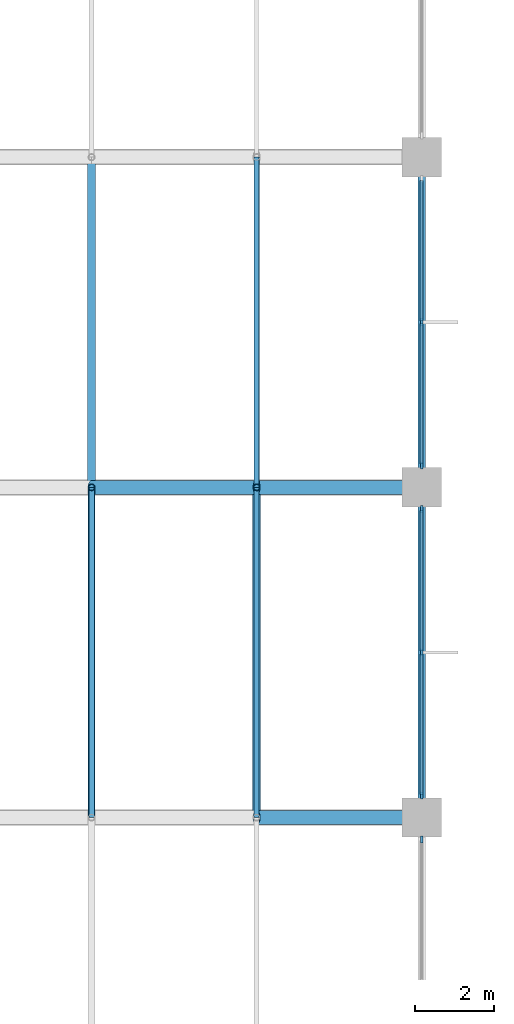
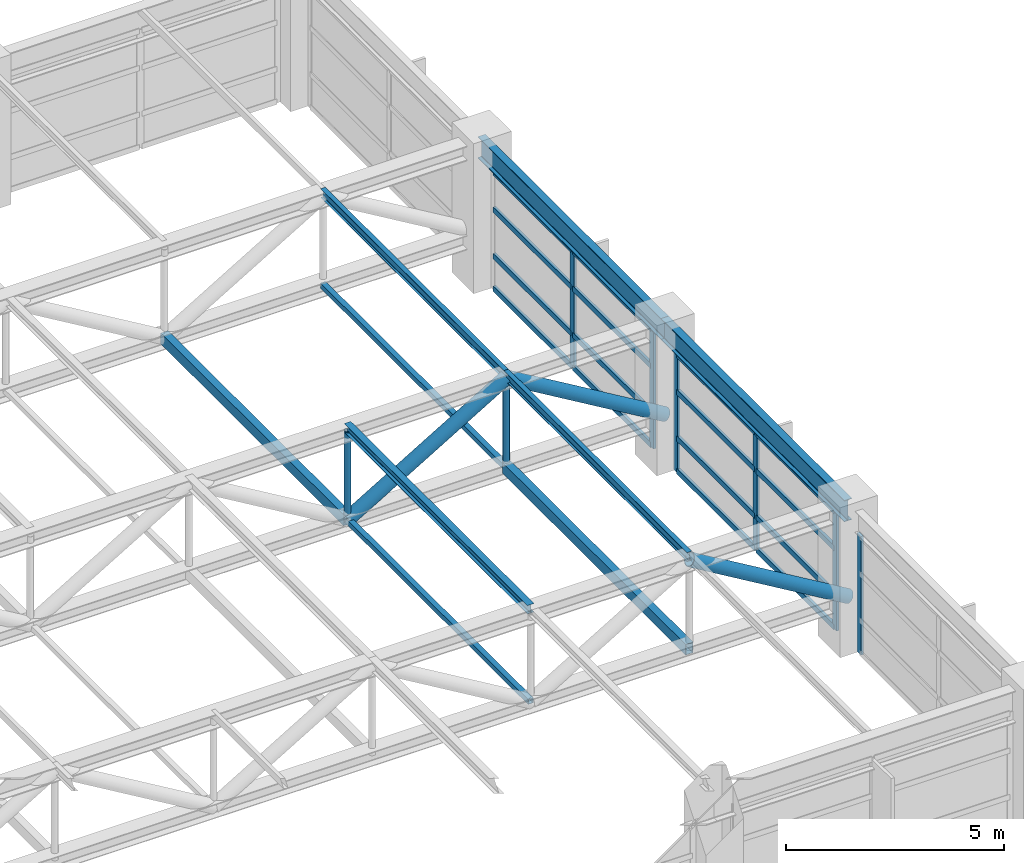
# One storey, part 13 of 32: 34 members, 2 beams, 3 elements without a shape of their own.
"""IFC4 building model written with IfcOpenShell, lengths in metres."""

from ifc_helpers import new_model, si_unit, direction, frame, origin, origin_2d, place, context, subcontext, project, spatial, rectangle, hollow_rectangle, hollow_circle, i_section, extrude, material, material_profile, profile_set, type_object, element, aggregate, save


model = new_model("IFC4")

# Units and contexts
model_context = context("Model", 3, precision=1e-05, world=origin(), true_north=direction((0.0, 1.0)))
body_context = subcontext(model_context, "Body", "Model", "MODEL_VIEW")
ifc_project = project(units=[si_unit("LENGTHUNIT", "METRE"), si_unit("AREAUNIT", "SQUARE_METRE"), si_unit("VOLUMEUNIT", "CUBIC_METRE"), si_unit("PLANEANGLEUNIT", "RADIAN"), si_unit("MASSUNIT", "GRAM", prefix="KILO")], contexts=[model_context])

# Site, building, storey
site_placement = place(None, origin())
site = spatial("IfcSite", under=ifc_project, at=site_placement, CompositionType="ELEMENT")
building_placement = place(site_placement, origin())
building = spatial("IfcBuilding", under=site, at=building_placement, Name="Xuanlan Plaza Opera House", CompositionType="ELEMENT")
storey_placement = place(building_placement, frame((0.0, 0.0, 40.5)))
storey = spatial("IfcBuildingStorey", under=building, at=storey_placement, Name="L09", CompositionType="ELEMENT", Elevation=40.5)

# Curtain wall, member
ifc_material_1 = material(Name="Anodised Aluminium 6063-T6 and Low-E Glass", Category="aluminium")
curtain_wall_type = type_object("IfcCurtainWallType", Name="ENV-CW-CW-05", PredefinedType="USERDEFINED", material=ifc_material_1)
curtain_wall_1_placement = place(storey_placement, origin())
curtain_wall_1 = element("IfcCurtainWall", 1, at=curtain_wall_1_placement, inside=storey, type_object=curtain_wall_type, Name="Acoustic Glazed Wall FLY-L09-04", ObjectType="ACOUSTIC GLAZED WALL", PredefinedType="USERDEFINED")
ifc_material_2 = material(Name="Anodised Aluminium 6063-T6", Category="aluminium")
ifc_material_profile_1 = material_profile(ifc_material_2, rectangle(XDim=0.070068359375, YDim=0.179931640625, at=origin_2d()), Name="ALU-M 70x180")
ifc_profile_set_1 = profile_set([ifc_material_profile_1], Name="Anodised Aluminium 6063-T6")
member_type_1 = type_object("IfcMemberType", Name="ENV-CWM-02", PredefinedType="MULLION", material=ifc_profile_set_1)
member_1_placement = place(storey_placement, frame((67.199951171875, 49.844970703125, 0.0), z_axis=(0.0, 0.0, 1.0), x_axis=(-1.0, 0.0, 0.0)))
member_1 = element("IfcMember", 2, at=member_1_placement, type_object=member_type_1, Name="CW-05 mullion 3", PredefinedType="MULLION", context=body_context, shape_type="SweptSolid", body=[
    extrude(rectangle(XDim=0.070068359375, YDim=0.179931640625, at=origin_2d()), origin(), (0.0, 0.0, 1.0), 3.320068359375),
])
aggregate(curtain_wall_1, [member_1])

# Curtain wall, members
curtain_wall_2_placement = place(storey_placement, origin())
curtain_wall_2 = element("IfcCurtainWall", 3, at=curtain_wall_2_placement, inside=storey, type_object=curtain_wall_type, Name="Acoustic Glazed Wall FLY-L09-05", ObjectType="ACOUSTIC GLAZED WALL", PredefinedType="USERDEFINED")
member_2_placement = place(storey_placement, frame((67.199951171875, 50.955078125, 0.0), z_axis=(0.0, 0.0, 1.0), x_axis=(-1.0, 0.0, 0.0)))
member_2 = element("IfcMember", 4, at=member_2_placement, type_object=member_type_1, Name="CW-05 mullion 1", PredefinedType="MULLION", context=body_context, shape_type="SweptSolid", body=[
    extrude(rectangle(XDim=0.070068359375, YDim=0.179931640625, at=origin_2d()), origin(), (0.0, 0.0, 1.0), 3.320068359375),
])
member_3_placement = place(storey_placement, frame((67.199951171875, 54.60009765625, 0.0), z_axis=(0.0, 0.0, 1.0), x_axis=(-1.0, 0.0, 0.0)))
member_3 = element("IfcMember", 5, at=member_3_placement, type_object=member_type_1, Name="CW-05 mullion 2", PredefinedType="MULLION", context=body_context, shape_type="SweptSolid", body=[
    extrude(rectangle(XDim=0.070068359375, YDim=0.179931640625, at=origin_2d()), origin(), (0.0, 0.0, 1.0), 3.320068359375),
])
member_4_placement = place(storey_placement, frame((67.199951171875, 58.2451171875, 0.0), z_axis=(0.0, 0.0, 1.0), x_axis=(-1.0, 0.0, 0.0)))
member_4 = element("IfcMember", 6, at=member_4_placement, type_object=member_type_1, Name="CW-05 mullion 3", PredefinedType="MULLION", context=body_context, shape_type="SweptSolid", body=[
    extrude(rectangle(XDim=0.070068359375, YDim=0.179931640625, at=origin_2d()), origin(), (0.0, 0.0, 1.0), 3.320068359375),
])

curtain_wall_3_placement = place(storey_placement, origin())
curtain_wall_3 = element("IfcCurtainWall", 7, at=curtain_wall_3_placement, inside=storey, type_object=curtain_wall_type, Name="Acoustic Glazed Wall FLY-L09-06", ObjectType="ACOUSTIC GLAZED WALL", PredefinedType="USERDEFINED")
member_5_placement = place(storey_placement, frame((67.199951171875, 59.35498046875, 0.0), z_axis=(0.0, 0.0, 1.0), x_axis=(-1.0, 0.0, 0.0)))
member_5 = element("IfcMember", 8, at=member_5_placement, type_object=member_type_1, Name="CW-05 mullion 1", PredefinedType="MULLION", context=body_context, shape_type="SweptSolid", body=[
    extrude(rectangle(XDim=0.070068359375, YDim=0.179931640625, at=origin_2d()), origin(), (0.0, 0.0, 1.0), 3.320068359375),
])
member_6_placement = place(storey_placement, frame((67.199951171875, 63.0, 0.0), z_axis=(0.0, 0.0, 1.0), x_axis=(-1.0, 0.0, 0.0)))
member_6 = element("IfcMember", 9, at=member_6_placement, type_object=member_type_1, Name="CW-05 mullion 2", PredefinedType="MULLION", context=body_context, shape_type="SweptSolid", body=[
    extrude(rectangle(XDim=0.070068359375, YDim=0.179931640625, at=origin_2d()), origin(), (0.0, 0.0, 1.0), 3.320068359375),
])

# Member
ifc_material_profile_2 = material_profile(ifc_material_2, rectangle(XDim=0.074951171875, YDim=0.14990234375, at=origin_2d()), Name="ALU-T 75x150")
ifc_profile_set_2 = profile_set([ifc_material_profile_2], Name="Anodised Aluminium 6063-T6")
member_type_2 = type_object("IfcMemberType", Name="ENV-CWT-03", PredefinedType="USERDEFINED", material=ifc_profile_set_2)
member_7_placement = place(storey_placement, frame((67.199951171875, 50.989990234375, 0.03759765625), z_axis=(0.0, 1.0, 0.0), x_axis=(-1.0, 0.0, 0.0)))
member_7 = element("IfcMember", 10, at=member_7_placement, type_object=member_type_2, Name="CW-05 transom 1.1", ObjectType="TRANSOM", PredefinedType="USERDEFINED", context=body_context, shape_type="SweptSolid", body=[
    extrude(rectangle(XDim=0.074951171875, YDim=0.14990234375, at=origin_2d()), origin(), (0.0, 0.0, 1.0), 3.574951171875),
])

member_8_placement = place(storey_placement, frame((67.199951171875, 50.989990234375, 0.949951171875), z_axis=(0.0, 1.0, 0.0), x_axis=(-1.0, 0.0, 0.0)))
member_8 = element("IfcMember", 11, at=member_8_placement, type_object=member_type_2, Name="CW-05 transom 1.2", ObjectType="TRANSOM", PredefinedType="USERDEFINED", context=body_context, shape_type="SweptSolid", body=[
    extrude(rectangle(XDim=0.074951171875, YDim=0.14990234375, at=origin_2d()), origin(), (0.0, 0.0, 1.0), 3.574951171875),
])

member_9_placement = place(storey_placement, frame((67.199951171875, 50.989990234375, 2.25), z_axis=(0.0, 1.0, 0.0), x_axis=(-1.0, 0.0, 0.0)))
member_9 = element("IfcMember", 12, at=member_9_placement, type_object=member_type_2, Name="CW-05 transom 1.3", ObjectType="TRANSOM", PredefinedType="USERDEFINED", context=body_context, shape_type="SweptSolid", body=[
    extrude(rectangle(XDim=0.074951171875, YDim=0.14990234375, at=origin_2d()), origin(), (0.0, 0.0, 1.0), 3.574951171875),
])

member_10_placement = place(storey_placement, frame((67.199951171875, 50.989990234375, 3.282470703125), z_axis=(0.0, 1.0, 0.0), x_axis=(-1.0, 0.0, 0.0)))
member_10 = element("IfcMember", 13, at=member_10_placement, type_object=member_type_2, Name="CW-05 transom 1.4", ObjectType="TRANSOM", PredefinedType="USERDEFINED", context=body_context, shape_type="SweptSolid", body=[
    extrude(rectangle(XDim=0.074951171875, YDim=0.14990234375, at=origin_2d()), origin(), (0.0, 0.0, 1.0), 3.574951171875),
])

member_11_placement = place(storey_placement, frame((67.199951171875, 54.635009765625, 0.03759765625), z_axis=(0.0, 1.0, 0.0), x_axis=(-1.0, 0.0, 0.0)))
member_11 = element("IfcMember", 14, at=member_11_placement, type_object=member_type_2, Name="CW-05 transom 2.1", ObjectType="TRANSOM", PredefinedType="USERDEFINED", context=body_context, shape_type="SweptSolid", body=[
    extrude(rectangle(XDim=0.074951171875, YDim=0.14990234375, at=origin_2d()), origin(), (0.0, 0.0, 1.0), 3.574951171875),
])

member_12_placement = place(storey_placement, frame((67.199951171875, 54.635009765625, 0.949951171875), z_axis=(0.0, 1.0, 0.0), x_axis=(-1.0, 0.0, 0.0)))
member_12 = element("IfcMember", 15, at=member_12_placement, type_object=member_type_2, Name="CW-05 transom 2.2", ObjectType="TRANSOM", PredefinedType="USERDEFINED", context=body_context, shape_type="SweptSolid", body=[
    extrude(rectangle(XDim=0.074951171875, YDim=0.14990234375, at=origin_2d()), origin(), (0.0, 0.0, 1.0), 3.574951171875),
])

member_13_placement = place(storey_placement, frame((67.199951171875, 54.635009765625, 2.25), z_axis=(0.0, 1.0, 0.0), x_axis=(-1.0, 0.0, 0.0)))
member_13 = element("IfcMember", 16, at=member_13_placement, type_object=member_type_2, Name="CW-05 transom 2.3", ObjectType="TRANSOM", PredefinedType="USERDEFINED", context=body_context, shape_type="SweptSolid", body=[
    extrude(rectangle(XDim=0.074951171875, YDim=0.14990234375, at=origin_2d()), origin(), (0.0, 0.0, 1.0), 3.574951171875),
])

member_14_placement = place(storey_placement, frame((67.199951171875, 54.635009765625, 3.282470703125), z_axis=(0.0, 1.0, 0.0), x_axis=(-1.0, 0.0, 0.0)))
member_14 = element("IfcMember", 17, at=member_14_placement, type_object=member_type_2, Name="CW-05 transom 2.4", ObjectType="TRANSOM", PredefinedType="USERDEFINED", context=body_context, shape_type="SweptSolid", body=[
    extrude(rectangle(XDim=0.074951171875, YDim=0.14990234375, at=origin_2d()), origin(), (0.0, 0.0, 1.0), 3.574951171875),
])

aggregate(curtain_wall_2, [member_2, member_3, member_4, member_7, member_8, member_9, member_10, member_11, member_12, member_13, member_14])

member_15_placement = place(storey_placement, frame((67.199951171875, 59.389892578125, 0.03759765625), z_axis=(0.0, 1.0, 0.0), x_axis=(-1.0, 0.0, 0.0)))
member_15 = element("IfcMember", 18, at=member_15_placement, type_object=member_type_2, Name="CW-05 transom 1.1", ObjectType="TRANSOM", PredefinedType="USERDEFINED", context=body_context, shape_type="SweptSolid", body=[
    extrude(rectangle(XDim=0.074951171875, YDim=0.14990234375, at=origin_2d()), origin(), (0.0, 0.0, 1.0), 3.5751953125),
])

member_16_placement = place(storey_placement, frame((67.199951171875, 59.389892578125, 0.949951171875), z_axis=(0.0, 1.0, 0.0), x_axis=(-1.0, 0.0, 0.0)))
member_16 = element("IfcMember", 19, at=member_16_placement, type_object=member_type_2, Name="CW-05 transom 1.2", ObjectType="TRANSOM", PredefinedType="USERDEFINED", context=body_context, shape_type="SweptSolid", body=[
    extrude(rectangle(XDim=0.074951171875, YDim=0.14990234375, at=origin_2d()), origin(), (0.0, 0.0, 1.0), 3.5751953125),
])

member_17_placement = place(storey_placement, frame((67.199951171875, 59.389892578125, 2.25), z_axis=(0.0, 1.0, 0.0), x_axis=(-1.0, 0.0, 0.0)))
member_17 = element("IfcMember", 20, at=member_17_placement, type_object=member_type_2, Name="CW-05 transom 1.3", ObjectType="TRANSOM", PredefinedType="USERDEFINED", context=body_context, shape_type="SweptSolid", body=[
    extrude(rectangle(XDim=0.074951171875, YDim=0.14990234375, at=origin_2d()), origin(), (0.0, 0.0, 1.0), 3.5751953125),
])

member_18_placement = place(storey_placement, frame((67.199951171875, 59.389892578125, 3.282470703125), z_axis=(0.0, 1.0, 0.0), x_axis=(-1.0, 0.0, 0.0)))
member_18 = element("IfcMember", 21, at=member_18_placement, type_object=member_type_2, Name="CW-05 transom 1.4", ObjectType="TRANSOM", PredefinedType="USERDEFINED", context=body_context, shape_type="SweptSolid", body=[
    extrude(rectangle(XDim=0.074951171875, YDim=0.14990234375, at=origin_2d()), origin(), (0.0, 0.0, 1.0), 3.5751953125),
])

member_19_placement = place(storey_placement, frame((67.199951171875, 63.034912109375, 0.03759765625), z_axis=(0.0, 1.0, 0.0), x_axis=(-1.0, 0.0, 0.0)))
member_19 = element("IfcMember", 22, at=member_19_placement, type_object=member_type_2, Name="CW-05 transom 2.1", ObjectType="TRANSOM", PredefinedType="USERDEFINED", context=body_context, shape_type="SweptSolid", body=[
    extrude(rectangle(XDim=0.074951171875, YDim=0.14990234375, at=origin_2d()), origin(), (0.0, 0.0, 1.0), 3.5751953125),
])

member_20_placement = place(storey_placement, frame((67.199951171875, 63.034912109375, 0.949951171875), z_axis=(0.0, 1.0, 0.0), x_axis=(-1.0, 0.0, 0.0)))
member_20 = element("IfcMember", 23, at=member_20_placement, type_object=member_type_2, Name="CW-05 transom 2.2", ObjectType="TRANSOM", PredefinedType="USERDEFINED", context=body_context, shape_type="SweptSolid", body=[
    extrude(rectangle(XDim=0.074951171875, YDim=0.14990234375, at=origin_2d()), origin(), (0.0, 0.0, 1.0), 3.5751953125),
])

member_21_placement = place(storey_placement, frame((67.199951171875, 63.034912109375, 2.25), z_axis=(0.0, 1.0, 0.0), x_axis=(-1.0, 0.0, 0.0)))
member_21 = element("IfcMember", 24, at=member_21_placement, type_object=member_type_2, Name="CW-05 transom 2.3", ObjectType="TRANSOM", PredefinedType="USERDEFINED", context=body_context, shape_type="SweptSolid", body=[
    extrude(rectangle(XDim=0.074951171875, YDim=0.14990234375, at=origin_2d()), origin(), (0.0, 0.0, 1.0), 3.5751953125),
])

member_22_placement = place(storey_placement, frame((67.199951171875, 63.034912109375, 3.282470703125), z_axis=(0.0, 1.0, 0.0), x_axis=(-1.0, 0.0, 0.0)))
member_22 = element("IfcMember", 25, at=member_22_placement, type_object=member_type_2, Name="CW-05 transom 2.4", ObjectType="TRANSOM", PredefinedType="USERDEFINED", context=body_context, shape_type="SweptSolid", body=[
    extrude(rectangle(XDim=0.074951171875, YDim=0.14990234375, at=origin_2d()), origin(), (0.0, 0.0, 1.0), 3.5751953125),
])

aggregate(curtain_wall_3, [member_5, member_6, member_15, member_16, member_17, member_18, member_19, member_20, member_21, member_22])

# Beams
ifc_material_3 = material(Name="Steel Q355B", Category="steel")
ifc_material_profile_3 = material_profile(ifc_material_3, i_section(OverallWidth=0.199951171875, OverallDepth=0.60009765625, WebThickness=0.010986328125, FlangeThickness=0.01708984375, FilletRadius=0.02197265625, at=origin_2d()), Name="HN 600x200x11x17")
ifc_profile_set_3 = profile_set([ifc_material_profile_3], Name="Steel Q355B")
beam_type = type_object("IfcBeamType", Name="STR-BM-SB-04", PredefinedType="BEAM", material=ifc_profile_set_3)
beam_1_placement = place(storey_placement, frame((67.199951171875, 50.39990234375, 3.659912109375), z_axis=(0.0, 1.0, 0.0), x_axis=(-1.0, 0.0, 0.0)))
element("IfcBeam", 26, at=beam_1_placement, inside=storey, type_object=beam_type, Name="Fly Tower Ring Beam Y L09 9/G-H", PredefinedType="BEAM", context=body_context, shape_type="SweptSolid", body=[
    extrude(i_section(OverallWidth=0.199951171875, OverallDepth=0.60009765625, WebThickness=0.010986328125, FlangeThickness=0.01708984375, FilletRadius=0.02197265625, at=origin_2d()), origin(), (0.0, 0.0, 1.0), 8.400146484375),
])
beam_2_placement = place(storey_placement, frame((67.199951171875, 58.800048828125, 3.659912109375), z_axis=(0.0, 1.0, 0.0), x_axis=(-1.0, 0.0, 0.0)))
element("IfcBeam", 27, at=beam_2_placement, inside=storey, type_object=beam_type, Name="Fly Tower Ring Beam Y L09 9/H-I", PredefinedType="BEAM", context=body_context, shape_type="SweptSolid", body=[
    extrude(i_section(OverallWidth=0.199951171875, OverallDepth=0.60009765625, WebThickness=0.010986328125, FlangeThickness=0.01708984375, FilletRadius=0.02197265625, at=origin_2d()), origin(), (0.0, 0.0, 1.0), 8.39990234375),
])

# Members
ifc_material_profile_4 = material_profile(ifc_material_3, hollow_circle(Radius=0.177734375, WallThickness=0.01611328125, at=origin_2d()), Name="CHS 355.6x16")
ifc_profile_set_4 = profile_set([ifc_material_profile_4], Name="Steel Q355B")
member_type_3 = type_object("IfcMemberType", Name="STR-MEM-BR-02", PredefinedType="BRACE", material=ifc_profile_set_4)
for number, where, z_axis, x_axis, name in (
    (28, (63.0, 50.39990234375, 3.751953125), (0.859290270856, 0.0, -0.511488250512), (0.0, 1.0, 0.0), "Stage Roof Truss STG-01 Web Diagonal 6"),
    (29, (58.800048828125, 58.800048828125, 1.251953125), (0.859290270856, 0.0, 0.511488250512), (0.0, 1.0, 0.0), "Stage Roof Truss STG-02 Web Diagonal 5"),
    (30, (63.0, 58.800048828125, 3.751953125), (0.859290270856, 0.0, -0.511488250512), (0.0, 1.0, 0.0), "Stage Roof Truss STG-02 Web Diagonal 6"),
):
    element("IfcMember", number, at=place(storey_placement, frame(where, z_axis=z_axis, x_axis=x_axis)), inside=storey, type_object=member_type_3, Name=name, PredefinedType="BRACE", context=body_context, shape_type="SweptSolid", body=[
        extrude(hollow_circle(Radius=0.177734375, WallThickness=0.01611328125, at=origin_2d()), origin(), (0.0, 0.0, 1.0), 4.8876953125),
    ])
ifc_material_profile_5 = material_profile(ifc_material_3, hollow_rectangle(XDim=0.199951171875, YDim=0.300048828125, WallThickness=0.011962890625, at=origin_2d()), Name="RHS 300x200x12")
ifc_profile_set_5 = profile_set([ifc_material_profile_5], Name="Steel Q355B")
member_type_4 = type_object("IfcMemberType", Name="STR-MEM-CL-M1", PredefinedType="COLLAR", material=ifc_profile_set_5)
member_23_placement = place(storey_placement, frame((63.0, 50.39990234375, 1.251953125), z_axis=(0.0, 1.0, 0.0), x_axis=(-1.0, 0.0, 0.0)))
element("IfcMember", 31, at=member_23_placement, inside=storey, type_object=member_type_4, Name="Stage Truss Collar Tie 1-6", PredefinedType="COLLAR", context=body_context, shape_type="SweptSolid", body=[
    extrude(hollow_rectangle(XDim=0.199951171875, YDim=0.300048828125, WallThickness=0.011962890625, at=origin_2d()), origin(), (0.0, 0.0, 1.0), 8.400146484375),
])
member_24_placement = place(storey_placement, frame((58.800048828125, 58.800048828125, 1.251953125), z_axis=(0.0, 1.0, 0.0), x_axis=(-1.0, 0.0, 0.0)))
element("IfcMember", 32, at=member_24_placement, inside=storey, type_object=member_type_4, Name="Stage Truss Collar Tie 2-5", PredefinedType="COLLAR", context=body_context, shape_type="SweptSolid", body=[
    extrude(hollow_rectangle(XDim=0.199951171875, YDim=0.300048828125, WallThickness=0.011962890625, at=origin_2d()), origin(), (0.0, 0.0, 1.0), 8.39990234375),
])
ifc_material_profile_6 = material_profile(ifc_material_3, hollow_rectangle(XDim=0.139892578125, YDim=0.139892578125, WallThickness=0.008056640625, at=origin_2d()), Name="SHS 140x140x8")
ifc_profile_set_6 = profile_set([ifc_material_profile_6], Name="Steel Q355B")
member_type_5 = type_object("IfcMemberType", Name="STR-MEM-CL-M3", PredefinedType="COLLAR", material=ifc_profile_set_6)
member_25_placement = place(storey_placement, frame((58.800048828125, 50.39990234375, 1.251953125), z_axis=(0.0, 1.0, 0.0), x_axis=(-1.0, 0.0, 0.0)))
element("IfcMember", 33, at=member_25_placement, inside=storey, type_object=member_type_5, Name="Stage Truss Collar Tie 1-5", PredefinedType="COLLAR", context=body_context, shape_type="SweptSolid", body=[
    extrude(hollow_rectangle(XDim=0.139892578125, YDim=0.139892578125, WallThickness=0.008056640625, at=origin_2d()), origin(), (0.0, 0.0, 1.0), 8.400146484375),
])
member_26_placement = place(storey_placement, frame((63.0, 58.800048828125, 1.251953125), z_axis=(0.0, 1.0, 0.0), x_axis=(-1.0, 0.0, 0.0)))
element("IfcMember", 34, at=member_26_placement, inside=storey, type_object=member_type_5, Name="Stage Truss Collar Tie 2-6", PredefinedType="COLLAR", context=body_context, shape_type="SweptSolid", body=[
    extrude(hollow_rectangle(XDim=0.139892578125, YDim=0.139892578125, WallThickness=0.008056640625, at=origin_2d()), origin(), (0.0, 0.0, 1.0), 8.39990234375),
])
ifc_material_profile_7 = material_profile(ifc_material_3, i_section(OverallWidth=0.125, OverallDepth=0.25, WebThickness=0.006103515625, FlangeThickness=0.009033203125, FilletRadius=0.011962890625, at=origin_2d()), Name="HN 250x125x6x9")
ifc_profile_set_7 = profile_set([ifc_material_profile_7], Name="Steel Q355B")
member_type_6 = type_object("IfcMemberType", Name="STR-MEM-PR-01", PredefinedType="PURLIN", material=ifc_profile_set_7)
member_27_placement = place(storey_placement, frame((63.0, 50.39990234375, 3.833984375), z_axis=(0.0, 1.0, 0.0), x_axis=(-1.0, 0.0, 0.0)))
element("IfcMember", 35, at=member_27_placement, inside=storey, type_object=member_type_6, Name="Stage Gridiron Roof Purlin 2-6", PredefinedType="PURLIN", context=body_context, shape_type="SweptSolid", body=[
    extrude(i_section(OverallWidth=0.125, OverallDepth=0.25, WebThickness=0.006103515625, FlangeThickness=0.009033203125, FilletRadius=0.011962890625, at=origin_2d()), origin(), (0.0, 0.0, 1.0), 8.400146484375),
])
member_28_placement = place(storey_placement, frame((63.0, 58.800048828125, 3.833984375), z_axis=(0.0, 1.0, 0.0), x_axis=(-1.0, 0.0, 0.0)))
element("IfcMember", 36, at=member_28_placement, inside=storey, type_object=member_type_6, Name="Stage Gridiron Roof Purlin 3-6", PredefinedType="PURLIN", context=body_context, shape_type="SweptSolid", body=[
    extrude(i_section(OverallWidth=0.125, OverallDepth=0.25, WebThickness=0.006103515625, FlangeThickness=0.009033203125, FilletRadius=0.011962890625, at=origin_2d()), origin(), (0.0, 0.0, 1.0), 8.39990234375),
])
ifc_material_profile_8 = material_profile(ifc_material_3, i_section(OverallWidth=0.175048828125, OverallDepth=0.243896484375, WebThickness=0.007080078125, FlangeThickness=0.010986328125, FilletRadius=0.012939453125, at=origin_2d()), Name="HM 244x175x7x11")
ifc_profile_set_8 = profile_set([ifc_material_profile_8], Name="Steel Q355B")
member_type_7 = type_object("IfcMemberType", Name="STR-MEM-PR-06", PredefinedType="PURLIN", material=ifc_profile_set_8)
member_29_placement = place(storey_placement, frame((58.800048828125, 50.39990234375, 3.8369140625), z_axis=(0.0, 1.0, 0.0), x_axis=(-1.0, 0.0, 0.0)))
element("IfcMember", 37, at=member_29_placement, inside=storey, type_object=member_type_7, Name="Stage Gridiron Roof Purlin 2-5", PredefinedType="PURLIN", context=body_context, shape_type="SweptSolid", body=[
    extrude(i_section(OverallWidth=0.175048828125, OverallDepth=0.243896484375, WebThickness=0.007080078125, FlangeThickness=0.010986328125, FilletRadius=0.012939453125, at=origin_2d()), origin(), (0.0, 0.0, 1.0), 8.400146484375),
])
ifc_material_profile_9 = material_profile(ifc_material_3, hollow_circle(Radius=0.084228515625, WallThickness=0.008056640625, at=origin_2d()), Name="CHS 168.3x8")
ifc_profile_set_9 = profile_set([ifc_material_profile_9], Name="Steel Q355B")
member_type_8 = type_object("IfcMemberType", Name="STR-MEM-ST-M1", PredefinedType="STRUT", material=ifc_profile_set_9)
for number, where, z_axis, x_axis, name in (
    (38, (58.800048828125, 58.800048828125, 1.251953125), (0.0, 0.0, 1.0), (1.0, 0.0, 0.0), "Stage Roof Truss STG-02 Vertical Strut 4"),
    (39, (63.0, 58.800048828125, 1.251953125), (0.0, 0.0, 1.0), (1.0, 0.0, 0.0), "Stage Roof Truss STG-02 Vertical Strut 5"),
):
    element("IfcMember", number, at=place(storey_placement, frame(where, z_axis=z_axis, x_axis=x_axis)), inside=storey, type_object=member_type_8, Name=name, PredefinedType="STRUT", context=body_context, shape_type="SweptSolid", body=[
        extrude(hollow_circle(Radius=0.084228515625, WallThickness=0.008056640625, at=origin_2d()), origin(), (0.0, 0.0, 1.0), 2.5),
    ])

save(model, "model.ifc")
